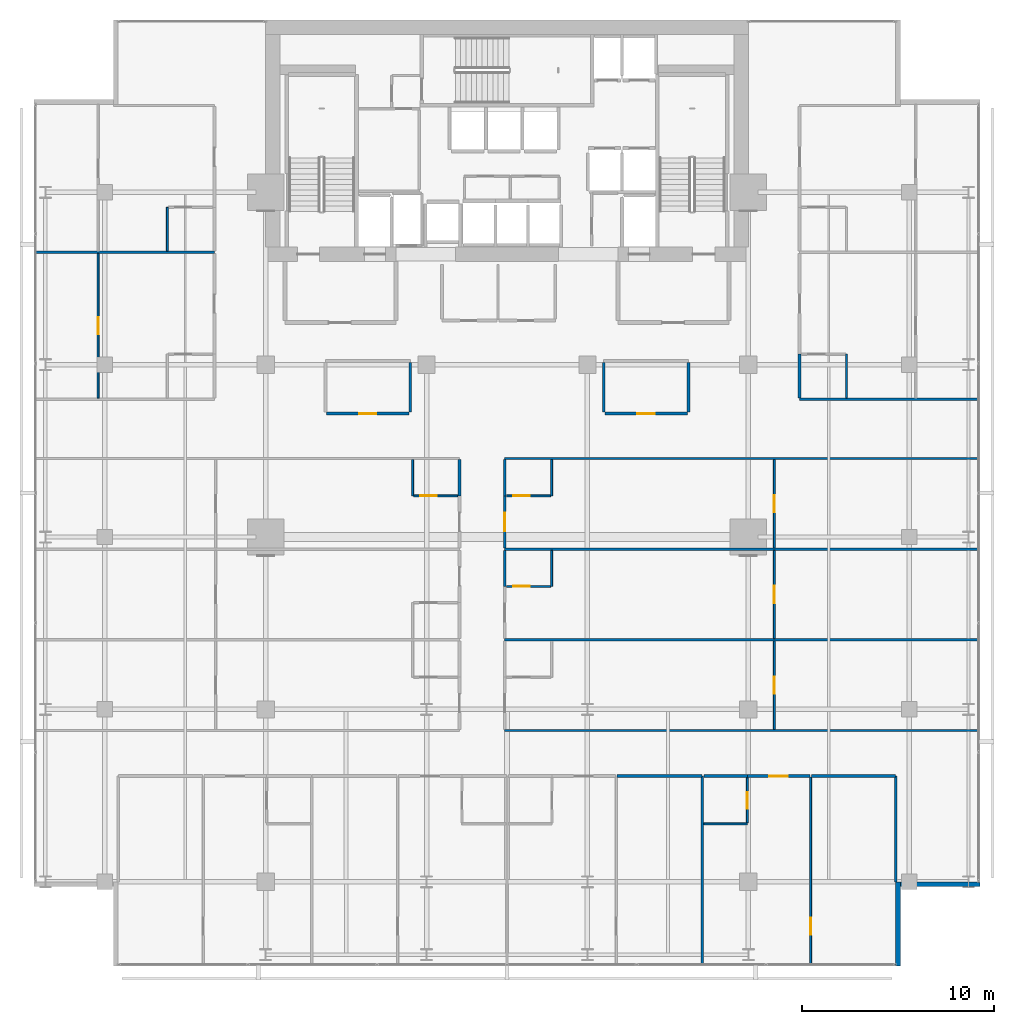
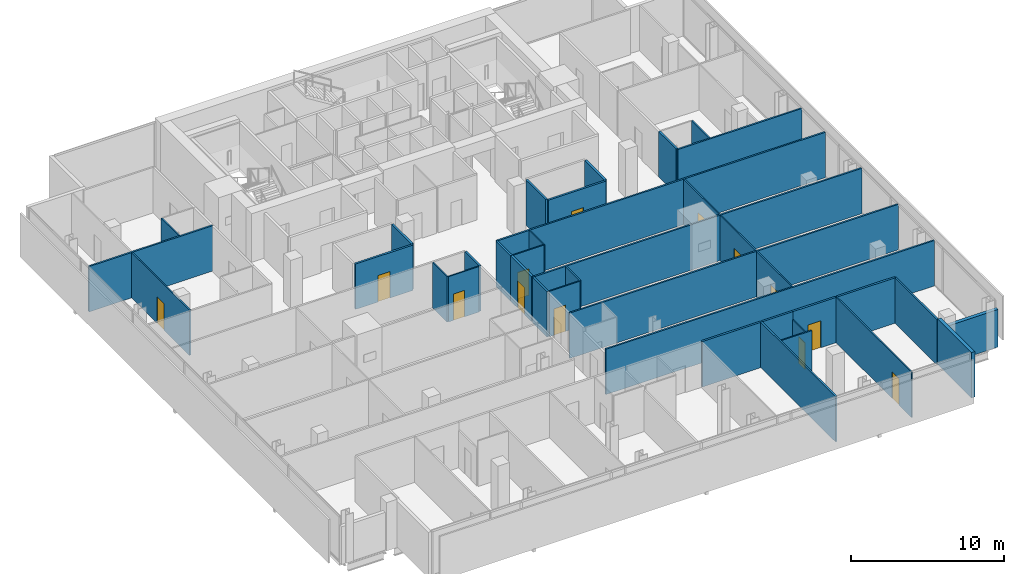
# One storey, part 28 of 34: 39 walls, 13 doors, 13 openings.
"""IFC4 building model written with IfcOpenShell, lengths in metres."""

from ifc_helpers import new_model, si_unit, direction, frame, frame_2d, origin, place, context, subcontext, project, spatial, rectangle, extrude, material, layer, layer_set, type_object, element, fill, save


model = new_model("IFC4")

# Units and contexts
model_context = context("Model", 3, precision=1e-05, world=origin(), true_north=direction((0.0, 1.0)))
body_context = subcontext(model_context, "Body", "Model", "MODEL_VIEW")
ifc_project = project(units=[si_unit("LENGTHUNIT", "METRE"), si_unit("AREAUNIT", "SQUARE_METRE"), si_unit("VOLUMEUNIT", "CUBIC_METRE"), si_unit("PLANEANGLEUNIT", "RADIAN"), si_unit("MASSUNIT", "GRAM", prefix="KILO")], contexts=[model_context])

# Site, building, storey
site_placement = place(None, origin())
site = spatial("IfcSite", under=ifc_project, at=site_placement, CompositionType="ELEMENT")
building_placement = place(site_placement, origin())
building = spatial("IfcBuilding", under=site, at=building_placement, Name="Maruvema Waterfront Hotel and Observation Tower", CompositionType="ELEMENT")
storey_placement = place(building_placement, frame((0.0, 0.0, 146.64990234375)))
storey = spatial("IfcBuildingStorey", under=building, at=storey_placement, Name="L35", CompositionType="ELEMENT", Elevation=146.64990234375)

# Wall
ifc_material_1 = material(Name="Twin-stud acoustic gypsum drywall", Category="gypsum")
ifc_layer_1 = layer(ifc_material_1, 0.14990234375, Name="Acoustic Corridor and Suite Demising Wall 150 mm")
ifc_layer_set_1 = layer_set([ifc_layer_1], Name="Twin-stud acoustic gypsum drywall")
wall_type_1 = type_object("IfcWallType", Name="Acoustic Corridor and Suite Demising Wall 150 mm", PredefinedType="PARTITIONING", material=ifc_layer_set_1)
wall_1_placement = place(storey_placement, frame((32.75, 33.530029296875, 0.0), z_axis=(0.0, 0.0, 1.0), x_axis=(0.0, 1.0, 0.0)))
element("IfcWall", 1, at=wall_1_placement, inside=storey, type_object=wall_type_1, Name="L35 L35-M1 East Wall 029", PredefinedType="PARTITIONING", context=body_context, shape_type="SweptSolid", body=[
    extrude(rectangle(XDim=2.590087890625, YDim=0.14990234375, at=frame_2d((1.294921875, 0.0))), origin(), (0.0, 0.0, 1.0), 3.610107421875),
])

# Wall, opening, door
wall_2_placement = place(storey_placement, frame((28.3798828125, 33.449951171875, 0.0), z_axis=(0.0, 0.0, 1.0), x_axis=(1.0, 0.0, 0.0)))
wall_2 = element("IfcWall", 2, at=wall_2_placement, inside=storey, type_object=wall_type_1, Name="L35 L35-M1 Front 1 030", PredefinedType="PARTITIONING", context=body_context, shape_type="SweptSolid", body=[
    extrude(rectangle(XDim=4.31005859375, YDim=0.14990234375, at=frame_2d((2.155029296875, 0.0))), origin(), (0.0, 0.0, 1.0), 3.610107421875),
])
opening_1_placement = place(wall_2_placement, frame((1.705078125, 0.0, 0.0)))
opening_1 = element("IfcOpeningElement", 3, at=opening_1_placement, cuts=wall_2, Name="Opening DR-090", PredefinedType="OPENING", context=body_context, shape_type="SweptSolid", body=[
    extrude(rectangle(XDim=0.89990234375, YDim=2.10009765625, at=frame_2d((0.449951171875, 1.050048828125))), frame((0.0, 0.0849609375, 0.0), z_axis=(0.0, -1.0, 0.0), x_axis=(1.0, 0.0, 0.0)), (0.0, 0.0, 1.0), 0.169921875),
])
ifc_material_2 = material(Name="Solid-core lacquered timber leaf", Category="wood")
door_type_1 = type_object("IfcDoorType", Name="Accessible Toilet and Room Door 900x2100 mm", OperationType="NOTDEFINED", PredefinedType="DOOR", material=ifc_material_2)
door_1_placement = place(opening_1_placement, frame((0.89990234375, 0.0, 0.0), z_axis=(0.0, 0.0, 1.0), x_axis=(-1.0, 0.0, 0.0)))
door_1 = element("IfcDoor", 4, at=door_1_placement, inside=storey, type_object=door_type_1, Name="L35 Club Meeting Room 1 Door", OperationType="SINGLE_SWING_RIGHT", OverallHeight=2.10009765625, OverallWidth=0.89990234375, PredefinedType="DOOR", context=body_context, shape_type="SweptSolid", body=[
    extrude(rectangle(XDim=0.89990234375, YDim=2.10009765625, at=frame_2d((0.449951171875, 1.050048828125))), frame((0.0, 0.02490234375, 0.0), z_axis=(0.0, -1.0, 0.0), x_axis=(1.0, 0.0, 0.0)), (0.0, 0.0, 1.0), 0.050048828125),
])
fill(opening_1, door_1)

# Walls
for number, where, z_axis, x_axis, name in (
    (5, (42.85009765625, 33.530029296875, 0.0), (0.0, 0.0, 1.0), (0.0, 1.0, 0.0), "L35 L35-M2 West Wall 032"),
    (6, (47.280029296875, 33.530029296875, 0.0), (0.0, 0.0, 1.0), (0.0, 1.0, 0.0), "L35 L35-M2 East Wall 033"),
):
    element("IfcWall", number, at=place(storey_placement, frame(where, z_axis=z_axis, x_axis=x_axis)), inside=storey, type_object=wall_type_1, Name=name, PredefinedType="PARTITIONING", context=body_context, shape_type="SweptSolid", body=[
        extrude(rectangle(XDim=2.590087890625, YDim=0.14990234375, at=frame_2d((1.294921875, 0.0))), origin(), (0.0, 0.0, 1.0), 3.610107421875),
    ])

# Wall, opening, door
wall_3_placement = place(storey_placement, frame((42.909912109375, 33.449951171875, 0.0), z_axis=(0.0, 0.0, 1.0), x_axis=(1.0, 0.0, 0.0)))
wall_3 = element("IfcWall", 7, at=wall_3_placement, inside=storey, type_object=wall_type_1, Name="L35 L35-M2 Front 1 034", PredefinedType="PARTITIONING", context=body_context, shape_type="SweptSolid", body=[
    extrude(rectangle(XDim=4.31005859375, YDim=0.14990234375, at=frame_2d((2.155029296875, 0.0))), origin(), (0.0, 0.0, 1.0), 3.610107421875),
])
opening_2_placement = place(wall_3_placement, frame((1.705078125, 0.0, 0.0)))
opening_2 = element("IfcOpeningElement", 8, at=opening_2_placement, cuts=wall_3, Name="Opening DR-090", PredefinedType="OPENING", context=body_context, shape_type="SweptSolid", body=[
    extrude(rectangle(XDim=0.89990234375, YDim=2.10009765625, at=frame_2d((0.449951171875, 1.050048828125))), frame((0.0, 0.0849609375, 0.0), z_axis=(0.0, -1.0, 0.0), x_axis=(1.0, 0.0, 0.0)), (0.0, 0.0, 1.0), 0.169921875),
])
door_2_placement = place(opening_2_placement, frame((0.89990234375, 0.0, 0.0), z_axis=(0.0, 0.0, 1.0), x_axis=(-1.0, 0.0, 0.0)))
door_2 = element("IfcDoor", 9, at=door_2_placement, inside=storey, type_object=door_type_1, Name="L35 Butler Kitchenette Door", OperationType="SINGLE_SWING_LEFT", OverallHeight=2.10009765625, OverallWidth=0.89990234375, PredefinedType="DOOR", context=body_context, shape_type="SweptSolid", body=[
    extrude(rectangle(XDim=0.89990234375, YDim=2.10009765625, at=frame_2d((0.449951171875, 1.050048828125))), frame((0.0, 0.02490234375, 0.0), z_axis=(0.0, -1.0, 0.0), x_axis=(1.0, 0.0, 0.0)), (0.0, 0.0, 1.0), 0.050048828125),
])
fill(opening_2, door_2)

# Walls
wall_4_placement = place(storey_placement, frame((43.552001953125, 14.52001953125, 0.0), z_axis=(0.0, 0.0, 1.0), x_axis=(1.0, 0.0, 0.0)))
element("IfcWall", 10, at=wall_4_placement, inside=storey, type_object=wall_type_1, Name="L35 Bedroom L35-S3 Back Wall 055", PredefinedType="PARTITIONING", context=body_context, shape_type="SweptSolid", body=[
    extrude(rectangle(XDim=4.427978515625, YDim=0.14990234375, at=frame_2d((2.2138671875, 0.0))), origin(), (0.0, 0.0, 1.0), 3.610107421875),
])
wall_5_placement = place(storey_placement, frame((48.080078125, 14.52001953125, 0.0), z_axis=(0.0, 0.0, 1.0), x_axis=(1.0, 0.0, 0.0)))
element("IfcWall", 11, at=wall_5_placement, inside=storey, type_object=wall_type_1, Name="L35 Bath L35-S4 Back Wall 058", PredefinedType="PARTITIONING", context=body_context, shape_type="SweptSolid", body=[
    extrude(rectangle(XDim=2.27001953125, YDim=0.14990234375, at=frame_2d((1.135009765625, 0.0))), origin(), (0.0, 0.0, 1.0), 3.610107421875),
])

# Wall, opening, door
wall_6_placement = place(storey_placement, frame((50.35009765625, 14.52001953125, 0.0), z_axis=(0.0, 0.0, 1.0), x_axis=(1.0, 0.0, 0.0)))
wall_6 = element("IfcWall", 12, at=wall_6_placement, inside=storey, type_object=wall_type_1, Name="L35 Unit L35-S4 Corridor Wall 061", PredefinedType="PARTITIONING", context=body_context, shape_type="SweptSolid", body=[
    extrude(rectangle(XDim=3.265869140625, YDim=0.14990234375, at=frame_2d((1.6328125, 0.0))), origin(), (0.0, 0.0, 1.0), 3.610107421875),
])
opening_3_placement = place(wall_6_placement, frame((1.157958984375, 0.0, 0.0)))
opening_3 = element("IfcOpeningElement", 13, at=opening_3_placement, cuts=wall_6, Name="Opening DR-095", PredefinedType="OPENING", context=body_context, shape_type="SweptSolid", body=[
    extrude(rectangle(XDim=0.949951171875, YDim=2.14990234375, at=frame_2d((0.47509765625, 1.074951171875))), frame((0.0, 0.0849609375, 0.0), z_axis=(0.0, -1.0, 0.0), x_axis=(1.0, 0.0, 0.0)), (0.0, 0.0, 1.0), 0.169921875),
])
ifc_material_3 = material(Name="Acoustic solid-core hardwood timber leaf", Category="wood")
door_type_2 = type_object("IfcDoorType", Name="Guestroom Entrance Fire Door 950x2150 mm", OperationType="NOTDEFINED", PredefinedType="DOOR", material=ifc_material_3)
door_3_placement = place(opening_3_placement, frame((0.949951171875, 0.0, 0.0), z_axis=(0.0, 0.0, 1.0), x_axis=(-1.0, 0.0, 0.0)))
door_3 = element("IfcDoor", 14, at=door_3_placement, inside=storey, type_object=door_type_2, Name="L35 Unit L35-S4 Entrance Door", OperationType="SINGLE_SWING_RIGHT", OverallHeight=2.14990234375, OverallWidth=0.949951171875, PredefinedType="DOOR", context=body_context, shape_type="SweptSolid", body=[
    extrude(rectangle(XDim=0.949951171875, YDim=2.14990234375, at=frame_2d((0.47509765625, 1.074951171875))), frame((0.0, 0.02490234375, 0.0), z_axis=(0.0, -1.0, 0.0), x_axis=(1.0, 0.0, 0.0)), (0.0, 0.0, 1.0), 0.050048828125),
])
fill(opening_3, door_3)

# Walls
wall_7_placement = place(storey_placement, frame((53.696044921875, 14.52001953125, 0.0), z_axis=(0.0, 0.0, 1.0), x_axis=(1.0, 0.0, 0.0)))
element("IfcWall", 15, at=wall_7_placement, inside=storey, type_object=wall_type_1, Name="L35 Bedroom L35-S4 Back Wall 062", PredefinedType="PARTITIONING", context=body_context, shape_type="SweptSolid", body=[
    extrude(rectangle(XDim=4.384033203125, YDim=0.14990234375, at=frame_2d((2.19189453125, 0.0))), origin(), (0.0, 0.0, 1.0), 3.610107421875),
])
for number, where, z_axis, x_axis, name in (
    (16, (37.679931640625, 24.419921875, 0.0), (0.0, 0.0, 1.0), (0.0, 1.0, 0.0), "L35 Bath L35-E2 Wall 086"),
    (17, (35.320068359375, 29.14990234375, 0.0), (0.0, 0.0, 1.0), (0.0, 1.0, 0.0), "L35 Bath L35-W3 Wall 093"),
):
    element("IfcWall", number, at=place(storey_placement, frame(where, z_axis=z_axis, x_axis=x_axis)), inside=storey, type_object=wall_type_1, Name=name, PredefinedType="PARTITIONING", context=body_context, shape_type="SweptSolid", body=[
        extrude(rectangle(XDim=1.89013671875, YDim=0.14990234375, at=frame_2d((0.945068359375, 0.0))), origin(), (0.0, 0.0, 1.0), 3.610107421875),
    ])

# Wall, opening, door
wall_8_placement = place(storey_placement, frame((37.679931640625, 26.429931640625, 0.0), z_axis=(0.0, 0.0, 1.0), x_axis=(0.0, 1.0, 0.0)))
wall_8 = element("IfcWall", 18, at=wall_8_placement, inside=storey, type_object=wall_type_1, Name="L35 Room L35-E3 Corridor Wall 097", PredefinedType="PARTITIONING", context=body_context, shape_type="SweptSolid", body=[
    extrude(rectangle(XDim=2.719970703125, YDim=0.14990234375, at=frame_2d((1.35986328125, 0.0))), origin(), (0.0, 0.0, 1.0), 3.610107421875),
])
opening_4_placement = place(wall_8_placement, frame((0.885009765625, 0.0, 0.0)))
opening_4 = element("IfcOpeningElement", 19, at=opening_4_placement, cuts=wall_8, Name="Opening DR-095", PredefinedType="OPENING", context=body_context, shape_type="SweptSolid", body=[
    extrude(rectangle(XDim=0.949951171875, YDim=2.14990234375, at=frame_2d((0.47509765625, 1.074951171875))), frame((0.0, 0.0849609375, 0.0), z_axis=(0.0, -1.0, 0.0), x_axis=(1.0, 0.0, 0.0)), (0.0, 0.0, 1.0), 0.169921875),
])
door_4_placement = place(opening_4_placement, frame((0.949951171875, 0.0, 0.0), z_axis=(0.0, 0.0, 1.0), x_axis=(-1.0, 0.0, 0.0)))
door_4 = element("IfcDoor", 20, at=door_4_placement, inside=storey, type_object=door_type_2, Name="L35 Room L35-E3 Entrance Door", OperationType="SINGLE_SWING_RIGHT", OverallHeight=2.14990234375, OverallWidth=0.949951171875, PredefinedType="DOOR", context=body_context, shape_type="SweptSolid", body=[
    extrude(rectangle(XDim=0.949951171875, YDim=2.14990234375, at=frame_2d((0.47509765625, 1.074951171875))), frame((0.0, 0.02490234375, 0.0), z_axis=(0.0, -1.0, 0.0), x_axis=(1.0, 0.0, 0.0)), (0.0, 0.0, 1.0), 0.050048828125),
])
fill(opening_4, door_4)

# Walls
wall_9_placement = place(storey_placement, frame((37.679931640625, 29.14990234375, 0.0), z_axis=(0.0, 0.0, 1.0), x_axis=(0.0, 1.0, 0.0)))
element("IfcWall", 21, at=wall_9_placement, inside=storey, type_object=wall_type_1, Name="L35 Bath L35-E3 Wall 098", PredefinedType="PARTITIONING", context=body_context, shape_type="SweptSolid", body=[
    extrude(rectangle(XDim=1.89013671875, YDim=0.14990234375, at=frame_2d((0.945068359375, 0.0))), origin(), (0.0, 0.0, 1.0), 3.610107421875),
])
wall_10_placement = place(storey_placement, frame((53.080078125, 34.260009765625, 0.0), z_axis=(0.0, 0.0, 1.0), x_axis=(0.0, 1.0, 0.0)))
element("IfcWall", 22, at=wall_10_placement, inside=storey, type_object=wall_type_1, Name="L35 Bath L35-NE1 Wall 111", PredefinedType="PARTITIONING", context=body_context, shape_type="SweptSolid", body=[
    extrude(rectangle(XDim=2.2900390625, YDim=0.14990234375, at=frame_2d((1.14501953125, 0.0))), origin(), (0.0, 0.0, 1.0), 3.610107421875),
])
ifc_material_4 = material(Name="Moisture-resistant cement-board drywall", Category="gypsum")
ifc_layer_2 = layer(ifc_material_4, 0.10009765625, Name="En-Suite Moisture-Resistant Partition 100 mm")
ifc_layer_set_2 = layer_set([ifc_layer_2], Name="Moisture-resistant cement-board drywall")
wall_type_2 = type_object("IfcWallType", Name="En-Suite Moisture-Resistant Partition 100 mm", PredefinedType="PARTITIONING", material=ifc_layer_set_2)
wall_11_placement = place(storey_placement, frame((48.080078125, 12.02001953125, 0.0), z_axis=(0.0, 0.0, 1.0), x_axis=(1.0, 0.0, 0.0)))
element("IfcWall", 23, at=wall_11_placement, inside=storey, type_object=wall_type_2, Name="L35 En-Suite L35-S4 South 059", PredefinedType="PARTITIONING", context=body_context, shape_type="SweptSolid", body=[
    extrude(rectangle(XDim=2.27001953125, YDim=0.10009765625, at=frame_2d((1.135009765625, 0.0))), origin(), (0.0, 0.0, 1.0), 3.610107421875),
])

# Wall, opening, door
wall_12_placement = place(storey_placement, frame((50.35009765625, 12.080078125, 0.0), z_axis=(0.0, 0.0, 1.0), x_axis=(0.0, 1.0, 0.0)))
wall_12 = element("IfcWall", 24, at=wall_12_placement, inside=storey, type_object=wall_type_2, Name="L35 En-Suite L35-S4 East 060", PredefinedType="PARTITIONING", context=body_context, shape_type="SweptSolid", body=[
    extrude(rectangle(XDim=2.33984375, YDim=0.10009765625, at=frame_2d((1.169921875, 0.0))), origin(), (0.0, 0.0, 1.0), 2.998046875),
])
opening_5_placement = place(wall_12_placement, frame((0.7451171875, 0.0, 0.0)))
opening_5 = element("IfcOpeningElement", 25, at=opening_5_placement, cuts=wall_12, Name="Opening DR-085", PredefinedType="OPENING", context=body_context, shape_type="SweptSolid", body=[
    extrude(rectangle(XDim=0.85009765625, YDim=2.10009765625, at=frame_2d((0.425048828125, 1.050048828125))), frame((0.0, 0.06005859375, 0.0), z_axis=(0.0, -1.0, 0.0), x_axis=(1.0, 0.0, 0.0)), (0.0, 0.0, 1.0), 0.1201171875),
])
ifc_material_5 = material(Name="Moisture-resistant solid timber leaf", Category="wood")
door_type_3 = type_object("IfcDoorType", Name="En-Suite Bathroom Door 850x2100 mm", OperationType="NOTDEFINED", PredefinedType="DOOR", material=ifc_material_5)
door_5_placement = place(opening_5_placement, frame((0.85009765625, 0.0, 0.0), z_axis=(0.0, 0.0, 1.0), x_axis=(-1.0, 0.0, 0.0)))
door_5 = element("IfcDoor", 26, at=door_5_placement, inside=storey, type_object=door_type_3, Name="L35 En-Suite L35-S4 Door", OperationType="SINGLE_SWING_LEFT", OverallHeight=2.10009765625, OverallWidth=0.85009765625, PredefinedType="DOOR", context=body_context, shape_type="SweptSolid", body=[
    extrude(rectangle(XDim=0.85009765625, YDim=2.10009765625, at=frame_2d((0.425048828125, 1.050048828125))), frame((0.0, 0.02490234375, 0.0), z_axis=(0.0, -1.0, 0.0), x_axis=(1.0, 0.0, 0.0)), (0.0, 0.0, 1.0), 0.050048828125),
])
fill(opening_5, door_5)

wall_13_placement = place(storey_placement, frame((53.656005859375, 4.6298828125, 0.0), z_axis=(0.0, 0.0, 1.0), x_axis=(0.0, 1.0, 0.0)))
wall_13 = element("IfcWall", 27, at=wall_13_placement, inside=storey, type_object=wall_type_2, Name="L35 Suite L35-S4 Split 063", PredefinedType="PARTITIONING", context=body_context, shape_type="SweptSolid", body=[
    extrude(rectangle(XDim=9.830078125, YDim=0.10009765625, at=frame_2d((4.9150390625, 0.0))), origin(), (0.0, 0.0, 1.0), 3.610107421875),
])
opening_6_placement = place(wall_13_placement, frame((1.60009765625, 0.0, 0.0)))
opening_6 = element("IfcOpeningElement", 28, at=opening_6_placement, cuts=wall_13, Name="Opening DR-090", PredefinedType="OPENING", context=body_context, shape_type="SweptSolid", body=[
    extrude(rectangle(XDim=0.89990234375, YDim=2.10009765625, at=frame_2d((0.449951171875, 1.050048828125))), frame((0.0, 0.06005859375, 0.0), z_axis=(0.0, -1.0, 0.0), x_axis=(1.0, 0.0, 0.0)), (0.0, 0.0, 1.0), 0.1201171875),
])
door_6_placement = place(opening_6_placement, origin())
door_6 = element("IfcDoor", 29, at=door_6_placement, inside=storey, type_object=door_type_1, Name="L35 Suite L35-S4 Bedroom Door", OperationType="SINGLE_SWING_LEFT", OverallHeight=2.10009765625, OverallWidth=0.89990234375, PredefinedType="DOOR", context=body_context, shape_type="SweptSolid", body=[
    extrude(rectangle(XDim=0.89990234375, YDim=2.10009765625, at=frame_2d((0.449951171875, 1.050048828125))), frame((0.0, 0.02490234375, 0.0), z_axis=(0.0, -1.0, 0.0), x_axis=(1.0, 0.0, 0.0)), (0.0, 0.0, 1.0), 0.050048828125),
])
fill(opening_6, door_6)

wall_14_placement = place(storey_placement, frame((51.762451171875, 16.9599609375, 0.0), z_axis=(0.0, 0.0, 1.0), x_axis=(0.0, 1.0, 0.0)))
wall_14 = element("IfcWall", 30, at=wall_14_placement, inside=storey, type_object=wall_type_2, Name="L35 Suite L35-E1 Split 077", PredefinedType="PARTITIONING", context=body_context, shape_type="SweptSolid", body=[
    extrude(rectangle(XDim=4.610107421875, YDim=0.10009765625, at=frame_2d((2.30517578125, 0.0))), origin(), (0.0, 0.0, 1.0), 3.610107421875),
])
opening_7_placement = place(wall_14_placement, frame((1.85498046875, 0.0, 0.0)))
opening_7 = element("IfcOpeningElement", 31, at=opening_7_placement, cuts=wall_14, Name="Opening DR-090", PredefinedType="OPENING", context=body_context, shape_type="SweptSolid", body=[
    extrude(rectangle(XDim=0.89990234375, YDim=2.10009765625, at=frame_2d((0.449951171875, 1.050048828125))), frame((0.0, 0.06005859375, 0.0), z_axis=(0.0, -1.0, 0.0), x_axis=(1.0, 0.0, 0.0)), (0.0, 0.0, 1.0), 0.1201171875),
])
door_7_placement = place(opening_7_placement, frame((0.89990234375, 0.0, 0.0), z_axis=(0.0, 0.0, 1.0), x_axis=(-1.0, 0.0, 0.0)))
door_7 = element("IfcDoor", 32, at=door_7_placement, inside=storey, type_object=door_type_1, Name="L35 Suite L35-E1 Bedroom Door", OperationType="SINGLE_SWING_LEFT", OverallHeight=2.10009765625, OverallWidth=0.89990234375, PredefinedType="DOOR", context=body_context, shape_type="SweptSolid", body=[
    extrude(rectangle(XDim=0.89990234375, YDim=2.10009765625, at=frame_2d((0.449951171875, 1.050048828125))), frame((0.0, 0.02490234375, 0.0), z_axis=(0.0, -1.0, 0.0), x_axis=(1.0, 0.0, 0.0)), (0.0, 0.0, 1.0), 0.050048828125),
])
fill(opening_7, door_7)

# Wall
wall_15_placement = place(storey_placement, frame((40.1298828125, 24.419921875, 0.0), z_axis=(0.0, 0.0, 1.0), x_axis=(0.0, 1.0, 0.0)))
element("IfcWall", 33, at=wall_15_placement, inside=storey, type_object=wall_type_2, Name="L35 En-Suite L35-E2 E 087", PredefinedType="PARTITIONING", context=body_context, shape_type="SweptSolid", body=[
    extrude(rectangle(XDim=1.89013671875, YDim=0.10009765625, at=frame_2d((0.945068359375, 0.0))), origin(), (0.0, 0.0, 1.0), 3.610107421875),
])

# Wall, opening, door
wall_16_placement = place(storey_placement, frame((37.780029296875, 24.419921875, 0.0), z_axis=(0.0, 0.0, 1.0), x_axis=(1.0, 0.0, 0.0)))
wall_16 = element("IfcWall", 34, at=wall_16_placement, inside=storey, type_object=wall_type_2, Name="L35 En-Suite L35-E2 S 088", PredefinedType="PARTITIONING", context=body_context, shape_type="SweptSolid", body=[
    extrude(rectangle(XDim=2.300048828125, YDim=0.10009765625, at=frame_2d((1.14990234375, 0.0))), origin(), (0.0, 0.0, 1.0), 3.610107421875),
])
opening_8_placement = place(wall_16_placement, frame((0.35009765625, 0.0, 0.0)))
opening_8 = element("IfcOpeningElement", 35, at=opening_8_placement, cuts=wall_16, Name="Opening DR-085", PredefinedType="OPENING", context=body_context, shape_type="SweptSolid", body=[
    extrude(rectangle(XDim=0.85009765625, YDim=2.10009765625, at=frame_2d((0.425048828125, 1.050048828125))), frame((0.0, 0.06005859375, 0.0), z_axis=(0.0, -1.0, 0.0), x_axis=(1.0, 0.0, 0.0)), (0.0, 0.0, 1.0), 0.1201171875),
])
door_8_placement = place(opening_8_placement, frame((0.85009765625, 0.0, 0.0), z_axis=(0.0, 0.0, 1.0), x_axis=(-1.0, 0.0, 0.0)))
door_8 = element("IfcDoor", 36, at=door_8_placement, inside=storey, type_object=door_type_3, Name="L35 En-Suite L35-E2 Door", OperationType="SINGLE_SWING_LEFT", OverallHeight=2.10009765625, OverallWidth=0.85009765625, PredefinedType="DOOR", context=body_context, shape_type="SweptSolid", body=[
    extrude(rectangle(XDim=0.85009765625, YDim=2.10009765625, at=frame_2d((0.425048828125, 1.050048828125))), frame((0.0, 0.02490234375, 0.0), z_axis=(0.0, -1.0, 0.0), x_axis=(1.0, 0.0, 0.0)), (0.0, 0.0, 1.0), 0.050048828125),
])
fill(opening_8, door_8)

wall_17_placement = place(storey_placement, frame((51.762451171875, 21.68994140625, 0.0), z_axis=(0.0, 0.0, 1.0), x_axis=(0.0, 1.0, 0.0)))
wall_17 = element("IfcWall", 37, at=wall_17_placement, inside=storey, type_object=wall_type_2, Name="L35 Suite L35-E2 Split 089", PredefinedType="PARTITIONING", context=body_context, shape_type="SweptSolid", body=[
    extrude(rectangle(XDim=4.6201171875, YDim=0.10009765625, at=frame_2d((2.31005859375, 0.0))), origin(), (0.0, 0.0, 1.0), 3.610107421875),
])
opening_9_placement = place(wall_17_placement, frame((1.860107421875, 0.0, 0.0)))
opening_9 = element("IfcOpeningElement", 38, at=opening_9_placement, cuts=wall_17, Name="Opening DR-090", PredefinedType="OPENING", context=body_context, shape_type="SweptSolid", body=[
    extrude(rectangle(XDim=0.89990234375, YDim=2.10009765625, at=frame_2d((0.449951171875, 1.050048828125))), frame((0.0, 0.06005859375, 0.0), z_axis=(0.0, -1.0, 0.0), x_axis=(1.0, 0.0, 0.0)), (0.0, 0.0, 1.0), 0.1201171875),
])
door_9_placement = place(opening_9_placement, frame((0.89990234375, 0.0, 0.0), z_axis=(0.0, 0.0, 1.0), x_axis=(-1.0, 0.0, 0.0)))
door_9 = element("IfcDoor", 39, at=door_9_placement, inside=storey, type_object=door_type_1, Name="L35 Suite L35-E2 Bedroom Door", OperationType="SINGLE_SWING_LEFT", OverallHeight=2.10009765625, OverallWidth=0.89990234375, PredefinedType="DOOR", context=body_context, shape_type="SweptSolid", body=[
    extrude(rectangle(XDim=0.89990234375, YDim=2.10009765625, at=frame_2d((0.449951171875, 1.050048828125))), frame((0.0, 0.02490234375, 0.0), z_axis=(0.0, -1.0, 0.0), x_axis=(1.0, 0.0, 0.0)), (0.0, 0.0, 1.0), 0.050048828125),
])
fill(opening_9, door_9)

# Wall
wall_18_placement = place(storey_placement, frame((32.8701171875, 29.14990234375, 0.0), z_axis=(0.0, 0.0, 1.0), x_axis=(0.0, 1.0, 0.0)))
element("IfcWall", 40, at=wall_18_placement, inside=storey, type_object=wall_type_2, Name="L35 En-Suite L35-W3 W 094", PredefinedType="PARTITIONING", context=body_context, shape_type="SweptSolid", body=[
    extrude(rectangle(XDim=1.89013671875, YDim=0.10009765625, at=frame_2d((0.945068359375, 0.0))), origin(), (0.0, 0.0, 1.0), 3.610107421875),
])

# Wall, opening, door
wall_19_placement = place(storey_placement, frame((32.919921875, 29.14990234375, 0.0), z_axis=(0.0, 0.0, 1.0), x_axis=(1.0, 0.0, 0.0)))
wall_19 = element("IfcWall", 41, at=wall_19_placement, inside=storey, type_object=wall_type_2, Name="L35 En-Suite L35-W3 S 095", PredefinedType="PARTITIONING", context=body_context, shape_type="SweptSolid", body=[
    extrude(rectangle(XDim=2.300048828125, YDim=0.10009765625, at=frame_2d((1.14990234375, 0.0))), origin(), (0.0, 0.0, 1.0), 3.610107421875),
])
opening_10_placement = place(wall_19_placement, frame((0.35009765625, 0.0, 0.0)))
opening_10 = element("IfcOpeningElement", 42, at=opening_10_placement, cuts=wall_19, Name="Opening DR-085", PredefinedType="OPENING", context=body_context, shape_type="SweptSolid", body=[
    extrude(rectangle(XDim=0.85009765625, YDim=2.10009765625, at=frame_2d((0.425048828125, 1.050048828125))), frame((0.0, 0.06005859375, 0.0), z_axis=(0.0, -1.0, 0.0), x_axis=(1.0, 0.0, 0.0)), (0.0, 0.0, 1.0), 0.1201171875),
])
door_10_placement = place(opening_10_placement, frame((0.85009765625, 0.0, 0.0), z_axis=(0.0, 0.0, 1.0), x_axis=(-1.0, 0.0, 0.0)))
door_10 = element("IfcDoor", 43, at=door_10_placement, inside=storey, type_object=door_type_3, Name="L35 En-Suite L35-W3 Door", OperationType="SINGLE_SWING_RIGHT", OverallHeight=2.10009765625, OverallWidth=0.85009765625, PredefinedType="DOOR", context=body_context, shape_type="SweptSolid", body=[
    extrude(rectangle(XDim=0.85009765625, YDim=2.10009765625, at=frame_2d((0.425048828125, 1.050048828125))), frame((0.0, 0.02490234375, 0.0), z_axis=(0.0, -1.0, 0.0), x_axis=(1.0, 0.0, 0.0)), (0.0, 0.0, 1.0), 0.050048828125),
])
fill(opening_10, door_10)

# Wall
wall_20_placement = place(storey_placement, frame((40.1298828125, 29.14990234375, 0.0), z_axis=(0.0, 0.0, 1.0), x_axis=(0.0, 1.0, 0.0)))
element("IfcWall", 44, at=wall_20_placement, inside=storey, type_object=wall_type_2, Name="L35 En-Suite L35-E3 E 099", PredefinedType="PARTITIONING", context=body_context, shape_type="SweptSolid", body=[
    extrude(rectangle(XDim=1.89013671875, YDim=0.10009765625, at=frame_2d((0.945068359375, 0.0))), origin(), (0.0, 0.0, 1.0), 3.610107421875),
])

# Wall, opening, door
wall_21_placement = place(storey_placement, frame((37.780029296875, 29.14990234375, 0.0), z_axis=(0.0, 0.0, 1.0), x_axis=(1.0, 0.0, 0.0)))
wall_21 = element("IfcWall", 45, at=wall_21_placement, inside=storey, type_object=wall_type_2, Name="L35 En-Suite L35-E3 S 100", PredefinedType="PARTITIONING", context=body_context, shape_type="SweptSolid", body=[
    extrude(rectangle(XDim=2.300048828125, YDim=0.10009765625, at=frame_2d((1.14990234375, 0.0))), origin(), (0.0, 0.0, 1.0), 3.610107421875),
])
opening_11_placement = place(wall_21_placement, frame((0.35009765625, 0.0, 0.0)))
opening_11 = element("IfcOpeningElement", 46, at=opening_11_placement, cuts=wall_21, Name="Opening DR-085", PredefinedType="OPENING", context=body_context, shape_type="SweptSolid", body=[
    extrude(rectangle(XDim=0.85009765625, YDim=2.10009765625, at=frame_2d((0.425048828125, 1.050048828125))), frame((0.0, 0.06005859375, 0.0), z_axis=(0.0, -1.0, 0.0), x_axis=(1.0, 0.0, 0.0)), (0.0, 0.0, 1.0), 0.1201171875),
])
door_11_placement = place(opening_11_placement, frame((0.85009765625, 0.0, 0.0), z_axis=(0.0, 0.0, 1.0), x_axis=(-1.0, 0.0, 0.0)))
door_11 = element("IfcDoor", 47, at=door_11_placement, inside=storey, type_object=door_type_3, Name="L35 En-Suite L35-E3 Door", OperationType="SINGLE_SWING_LEFT", OverallHeight=2.10009765625, OverallWidth=0.85009765625, PredefinedType="DOOR", context=body_context, shape_type="SweptSolid", body=[
    extrude(rectangle(XDim=0.85009765625, YDim=2.10009765625, at=frame_2d((0.425048828125, 1.050048828125))), frame((0.0, 0.02490234375, 0.0), z_axis=(0.0, -1.0, 0.0), x_axis=(1.0, 0.0, 0.0)), (0.0, 0.0, 1.0), 0.050048828125),
])
fill(opening_11, door_11)

wall_22_placement = place(storey_placement, frame((51.762451171875, 26.429931640625, 0.0), z_axis=(0.0, 0.0, 1.0), x_axis=(0.0, 1.0, 0.0)))
wall_22 = element("IfcWall", 48, at=wall_22_placement, inside=storey, type_object=wall_type_2, Name="L35 Suite L35-E3 Split 101", PredefinedType="PARTITIONING", context=body_context, shape_type="SweptSolid", body=[
    extrude(rectangle(XDim=4.610107421875, YDim=0.10009765625, at=frame_2d((2.30517578125, 0.0))), origin(), (0.0, 0.0, 1.0), 3.610107421875),
])
opening_12_placement = place(wall_22_placement, frame((1.85498046875, 0.0, 0.0)))
opening_12 = element("IfcOpeningElement", 49, at=opening_12_placement, cuts=wall_22, Name="Opening DR-090", PredefinedType="OPENING", context=body_context, shape_type="SweptSolid", body=[
    extrude(rectangle(XDim=0.89990234375, YDim=2.10009765625, at=frame_2d((0.449951171875, 1.050048828125))), frame((0.0, 0.06005859375, 0.0), z_axis=(0.0, -1.0, 0.0), x_axis=(1.0, 0.0, 0.0)), (0.0, 0.0, 1.0), 0.1201171875),
])
door_12_placement = place(opening_12_placement, frame((0.89990234375, 0.0, 0.0), z_axis=(0.0, 0.0, 1.0), x_axis=(-1.0, 0.0, 0.0)))
door_12 = element("IfcDoor", 50, at=door_12_placement, inside=storey, type_object=door_type_1, Name="L35 Suite L35-E3 Bedroom Door", OperationType="SINGLE_SWING_LEFT", OverallHeight=2.10009765625, OverallWidth=0.89990234375, PredefinedType="DOOR", context=body_context, shape_type="SweptSolid", body=[
    extrude(rectangle(XDim=0.89990234375, YDim=2.10009765625, at=frame_2d((0.449951171875, 1.050048828125))), frame((0.0, 0.02490234375, 0.0), z_axis=(0.0, -1.0, 0.0), x_axis=(1.0, 0.0, 0.0)), (0.0, 0.0, 1.0), 0.050048828125),
])
fill(opening_12, door_12)

wall_23_placement = place(storey_placement, frame((16.445556640625, 34.260009765625, 0.0), z_axis=(0.0, 0.0, 1.0), x_axis=(0.0, 1.0, 0.0)))
wall_23 = element("IfcWall", 51, at=wall_23_placement, inside=storey, type_object=wall_type_2, Name="L35 Suite L35-NW1 Split 110", PredefinedType="PARTITIONING", context=body_context, shape_type="SweptSolid", body=[
    extrude(rectangle(XDim=7.548828125, YDim=0.10009765625, at=frame_2d((3.7744140625, 0.0))), origin(), (0.0, 0.0, 1.0), 3.610107421875),
])
opening_13_placement = place(wall_23_placement, frame((3.324462890625, 0.0, 0.0)))
opening_13 = element("IfcOpeningElement", 52, at=opening_13_placement, cuts=wall_23, Name="Opening DR-090", PredefinedType="OPENING", context=body_context, shape_type="SweptSolid", body=[
    extrude(rectangle(XDim=0.89990234375, YDim=2.10009765625, at=frame_2d((0.449951171875, 1.050048828125))), frame((0.0, 0.06005859375, 0.0), z_axis=(0.0, -1.0, 0.0), x_axis=(1.0, 0.0, 0.0)), (0.0, 0.0, 1.0), 0.1201171875),
])
door_13_placement = place(opening_13_placement, origin())
door_13 = element("IfcDoor", 53, at=door_13_placement, inside=storey, type_object=door_type_1, Name="L35 Suite L35-NW1 Bedroom Door", OperationType="SINGLE_SWING_RIGHT", OverallHeight=2.10009765625, OverallWidth=0.89990234375, PredefinedType="DOOR", context=body_context, shape_type="SweptSolid", body=[
    extrude(rectangle(XDim=0.89990234375, YDim=2.10009765625, at=frame_2d((0.449951171875, 1.050048828125))), frame((0.0, 0.02490234375, 0.0), z_axis=(0.0, -1.0, 0.0), x_axis=(1.0, 0.0, 0.0)), (0.0, 0.0, 1.0), 0.050048828125),
])
fill(opening_13, door_13)

# Walls
for number, where, z_axis, x_axis, name in (
    (54, (55.530029296875, 34.260009765625, 0.0), (0.0, 0.0, 1.0), (0.0, 1.0, 0.0), "L35 En-Suite L35-NE1 E 113"),
    (55, (20.070068359375, 41.9287109375, 0.0), (0.0, 0.0, 1.0), (0.0, 1.0, 0.0), "L35 En-Suite L35-NW2 W 120"),
):
    element("IfcWall", number, at=place(storey_placement, frame(where, z_axis=z_axis, x_axis=x_axis)), inside=storey, type_object=wall_type_2, Name=name, PredefinedType="PARTITIONING", context=body_context, shape_type="SweptSolid", body=[
        extrude(rectangle(XDim=2.2900390625, YDim=0.10009765625, at=frame_2d((1.14501953125, 0.0))), origin(), (0.0, 0.0, 1.0), 3.610107421875),
    ])
ifc_material_6 = material(Name="Precast concrete C45/55 with honed Pernambuco granite facing", Category="masonry")
ifc_layer_3 = layer(ifc_material_6, 0.260009765625, Name="Exterior Granite Clad Spandrel and Pier Wall 260 mm")
ifc_layer_set_3 = layer_set([ifc_layer_3], Name="Precast concrete C45/55 with honed Pernambuco granite facing")
wall_type_3 = type_object("IfcWallType", Name="Exterior Granite Clad Spandrel and Pier Wall 260 mm", PredefinedType="SOLIDWALL", material=ifc_layer_set_3)
wall_24_placement = place(storey_placement, frame((58.22998046875, 9.0, 0.0), z_axis=(0.0, 0.0, 1.0), x_axis=(0.0, -1.0, 0.0)))
element("IfcWall", 56, at=wall_24_placement, inside=storey, type_object=wall_type_3, Name="L35 Corner Notch Granite Pier Wall SE1", PredefinedType="SOLIDWALL", context=body_context, shape_type="SweptSolid", body=[
    extrude(rectangle(XDim=4.39990234375, YDim=0.260009765625, at=frame_2d((2.199951171875, 0.0))), origin(), (0.0, 0.0, 1.0), 3.610107421875),
])
wall_25_placement = place(storey_placement, frame((62.5, 8.8701171875, 0.0), z_axis=(0.0, 0.0, 1.0), x_axis=(-1.0, 0.0, 0.0)))
element("IfcWall", 57, at=wall_25_placement, inside=storey, type_object=wall_type_3, Name="L35 Corner Notch Granite Pier Wall SE2", PredefinedType="SOLIDWALL", context=body_context, shape_type="SweptSolid", body=[
    extrude(rectangle(XDim=4.39990234375, YDim=0.260009765625, at=frame_2d((2.199951171875, 0.0))), origin(), (0.0, 0.0, 1.0), 2.998046875),
])
ifc_material_7 = material(Name="Acoustic gypsum plasterboard drywall", Category="gypsum")
ifc_layer_4 = layer(ifc_material_7, 0.125, Name="Guestroom Acoustic Demising Wall 125 mm")
ifc_layer_set_4 = layer_set([ifc_layer_4], Name="Acoustic gypsum plasterboard drywall")
wall_type_4 = type_object("IfcWallType", Name="Guestroom Acoustic Demising Wall 125 mm", PredefinedType="PARTITIONING", material=ifc_layer_set_4)
wall_26_placement = place(storey_placement, frame((58.10009765625, 9.0, 0.0), z_axis=(0.0, 0.0, 1.0), x_axis=(0.0, 1.0, 0.0)))
element("IfcWall", 58, at=wall_26_placement, inside=storey, type_object=wall_type_4, Name="L35 Z2 S East End 036", PredefinedType="PARTITIONING", context=body_context, shape_type="SweptSolid", body=[
    extrude(rectangle(XDim=5.52001953125, YDim=0.125, at=frame_2d((2.760009765625, 0.0))), origin(), (0.0, 0.0, 1.0), 3.610107421875),
])
wall_27_placement = place(storey_placement, frame((48.0, 4.699951171875, 0.0), z_axis=(0.0, 0.0, 1.0), x_axis=(0.0, 1.0, 0.0)))
element("IfcWall", 59, at=wall_27_placement, inside=storey, type_object=wall_type_4, Name="L35 Z2 S Demising 4 057", PredefinedType="PARTITIONING", context=body_context, shape_type="SweptSolid", body=[
    extrude(rectangle(XDim=9.820068359375, YDim=0.125, at=frame_2d((4.91015625, 0.0))), origin(), (0.0, 0.0, 1.0), 3.610107421875),
])
for number, where, z_axis, x_axis, name in (
    (60, (37.679931640625, 16.89990234375, 0.0), (0.0, 0.0, 1.0), (1.0, 0.0, 0.0), "L35 Z2 E Bot End 065"),
    (61, (37.679931640625, 31.10009765625, 0.0), (0.0, 0.0, 1.0), (1.0, 0.0, 0.0), "L35 Z2 E Top End 067"),
    (62, (37.679931640625, 21.6298828125, 0.0), (0.0, 0.0, 1.0), (1.0, 0.0, 0.0), "L35 Z2 E Demising 2 079"),
    (63, (37.679931640625, 26.3701171875, 0.0), (0.0, 0.0, 1.0), (1.0, 0.0, 0.0), "L35 Z2 E Demising 3 091"),
):
    element("IfcWall", number, at=place(storey_placement, frame(where, z_axis=z_axis, x_axis=x_axis)), inside=storey, type_object=wall_type_4, Name=name, PredefinedType="PARTITIONING", context=body_context, shape_type="SweptSolid", body=[
        extrude(rectangle(XDim=24.719970703125, YDim=0.125, at=frame_2d((12.35986328125, 0.0))), origin(), (0.0, 0.0, 1.0), 3.610107421875),
    ])
wall_28_placement = place(storey_placement, frame((53.080078125, 34.199951171875, 0.0), z_axis=(0.0, 0.0, 1.0), x_axis=(1.0, 0.0, 0.0)))
element("IfcWall", 64, at=wall_28_placement, inside=storey, type_object=wall_type_4, Name="L35 Z2 NE Bot End 103", PredefinedType="PARTITIONING", context=body_context, shape_type="SweptSolid", body=[
    extrude(rectangle(XDim=9.31982421875, YDim=0.125, at=frame_2d((4.659912109375, 0.0))), origin(), (0.0, 0.0, 1.0), 3.610107421875),
])
wall_29_placement = place(storey_placement, frame((13.199951171875, 41.868896484375, 0.0), z_axis=(0.0, 0.0, 1.0), x_axis=(1.0, 0.0, 0.0)))
element("IfcWall", 65, at=wall_29_placement, inside=storey, type_object=wall_type_4, Name="L35 Z2 NW Demising 2 116", PredefinedType="PARTITIONING", context=body_context, shape_type="SweptSolid", body=[
    extrude(rectangle(XDim=9.320068359375, YDim=0.125, at=frame_2d((4.66015625, 0.0))), origin(), (0.0, 0.0, 1.0), 3.610107421875),
])

save(model, "model.ifc")
